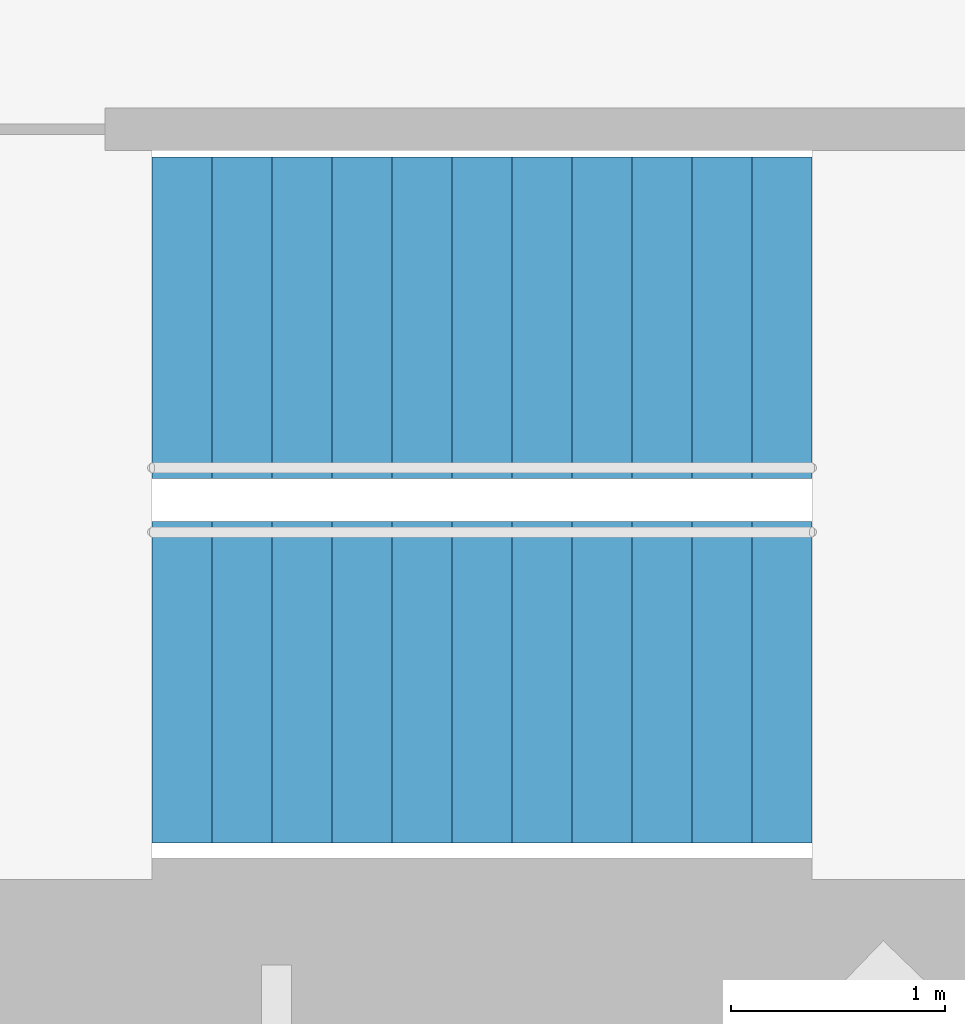
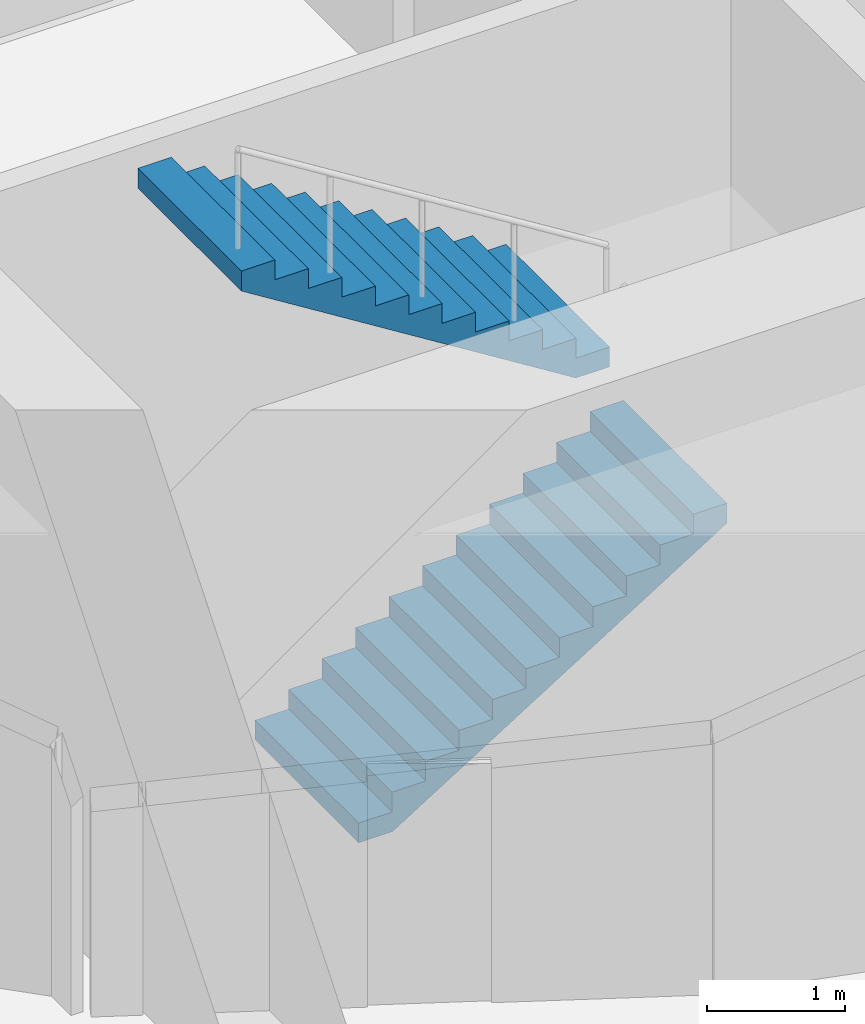
# One storey, part 17 of 19: 2 stair flights, 1 element without a shape of its own.
"""IFC4 building model written with IfcOpenShell, lengths in metres."""

from ifc_helpers import new_model, si_unit, direction, frame, origin, place, context, subcontext, project, spatial, triangles, material, type_object, element, aggregate, save


model = new_model("IFC4")

# Units and contexts
model_context = context("Model", 3, precision=1e-05, world=origin(), true_north=direction((0.0, 1.0)))
body_context = subcontext(model_context, "Body", "Model", "MODEL_VIEW")
ifc_project = project(units=[si_unit("LENGTHUNIT", "METRE"), si_unit("AREAUNIT", "SQUARE_METRE"), si_unit("VOLUMEUNIT", "CUBIC_METRE"), si_unit("PLANEANGLEUNIT", "RADIAN"), si_unit("MASSUNIT", "GRAM", prefix="KILO")], contexts=[model_context])

# Site, building, storey
site_placement = place(None, origin())
site = spatial("IfcSite", under=ifc_project, at=site_placement, CompositionType="ELEMENT")
building_placement = place(site_placement, origin())
building = spatial("IfcBuilding", under=site, at=building_placement, Name="Lantaw Convention Tower", CompositionType="ELEMENT")
storey_placement = place(building_placement, frame((0.0, 0.0, 253.60009765625)))
storey = spatial("IfcBuildingStorey", under=building, at=storey_placement, Name="L59", CompositionType="ELEMENT", Elevation=253.60009765625)

# Stair, stair flights
ifc_material = material(Name="Concrete C35/45", Category="concrete")
stair_type = type_object("IfcStairType", Name="Exit stair 1500 riser 175 in 2 flights", PredefinedType="HALF_TURN_STAIR", material=ifc_material)
stair_placement = place(storey_placement, origin())
stair = element("IfcStair", 1, at=stair_placement, inside=storey, type_object=stair_type, Name="Exit stair S1 L59", PredefinedType="HALF_TURN_STAIR")
stair_flight_type = type_object("IfcStairFlightType", Name="Stair flight 1500 riser 175", PredefinedType="STRAIGHT", material=ifc_material)
stair_flight_1_placement = place(storey_placement, frame((-10.580078125, -5.97998046875, 0.0), z_axis=(0.0, 0.0, 1.0), x_axis=(1.0, 0.0, 0.0)))
stair_flight_1 = element("IfcStairFlight", 2, at=stair_flight_1_placement, type_object=stair_flight_type, Name="S1 flight 1", NumberOfRisers=12, NumberOfTreads=11, PredefinedType="STRAIGHT", RiserHeight=0.175, TreadLength=0.28, context=body_context, shape_type="Tessellation", body=[
    triangles([(0.0, 0.75, 0.0), (0.0, 0.75, 0.175), (0.28, 0.75, 0.0), (0.28, 0.75, 0.175), (0.28, 0.75, 0.35), (0.28283517651771284, 0.75, 0.0), (0.28283517651771284, 0.75, 0.35), (0.56, 0.75, 0.17322801467642948), (0.56, 0.75, 0.35), (0.56, 0.75, 0.5249999999999999), (0.8400000000000001, 0.75, 0.34822801467642944), (0.8400000000000001, 0.75, 0.5249999999999999), (0.8400000000000001, 0.75, 0.7), (1.12, 0.75, 0.5232280146764294), (1.12, 0.75, 0.7), (1.12, 0.75, 0.875), (1.4000000000000001, 0.75, 0.6982280146764295), (1.4000000000000001, 0.75, 0.875), (1.4000000000000001, 0.75, 1.0499999999999998), (1.6800000000000002, 0.75, 0.8732280146764294), (1.6800000000000002, 0.75, 1.0499999999999998), (1.6800000000000002, 0.75, 1.2249999999999999), (1.9600000000000002, 0.75, 1.0482280146764293), (1.9600000000000002, 0.75, 1.2249999999999999), (1.9600000000000002, 0.75, 1.4), (2.24, 0.75, 1.2232280146764294), (2.24, 0.75, 1.4), (2.24, 0.75, 1.575), (2.5200000000000005, 0.75, 1.3982280146764294), (2.5200000000000005, 0.75, 1.575), (2.5200000000000005, 0.75, 1.75), (2.8000000000000003, 0.75, 1.5732280146764293), (2.8000000000000003, 0.75, 1.75), (2.8000000000000003, 0.75, 1.9249999999999998), (3.08, 0.75, 1.7482280146764293), (3.08, 0.75, 1.9249999999999998), (0.0, -0.75, 0.0), (0.0, -0.75, 0.175), (0.28, -0.75, 0.0), (0.28, -0.75, 0.175), (0.28, -0.75, 0.35), (0.28283517651771284, -0.75, 0.0), (0.28283517651771284, -0.75, 0.35), (0.56, -0.75, 0.17322801467642948), (0.56, -0.75, 0.35), (0.56, -0.75, 0.5249999999999999), (0.8400000000000001, -0.75, 0.34822801467642944), (0.8400000000000001, -0.75, 0.5249999999999999), (0.8400000000000001, -0.75, 0.7), (1.12, -0.75, 0.5232280146764294), (1.12, -0.75, 0.7), (1.12, -0.75, 0.875), (1.4000000000000001, -0.75, 0.6982280146764295), (1.4000000000000001, -0.75, 0.875), (1.4000000000000001, -0.75, 1.0499999999999998), (1.6800000000000002, -0.75, 0.8732280146764294), (1.6800000000000002, -0.75, 1.0499999999999998), (1.6800000000000002, -0.75, 1.2249999999999999), (1.9600000000000002, -0.75, 1.0482280146764293), (1.9600000000000002, -0.75, 1.2249999999999999), (1.9600000000000002, -0.75, 1.4), (2.24, -0.75, 1.2232280146764294), (2.24, -0.75, 1.4), (2.24, -0.75, 1.575), (2.5200000000000005, -0.75, 1.3982280146764294), (2.5200000000000005, -0.75, 1.575), (2.5200000000000005, -0.75, 1.75), (2.8000000000000003, -0.75, 1.5732280146764293), (2.8000000000000003, -0.75, 1.75), (2.8000000000000003, -0.75, 1.9249999999999998), (3.08, -0.75, 1.7482280146764293), (3.08, -0.75, 1.9249999999999998), (0.0, 0.15000000000000002, 0.175), (0.0, 0.15000000000000002, 0.0), (0.0, 0.0, 0.175), (0.0, 0.0, 0.0), (0.0, -0.15000000000000002, 0.175), (0.0, -0.15000000000000002, 0.0), (0.28, 0.15000000000000002, 0.35), (0.28, 0.15000000000000002, 0.175), (0.28, 0.0, 0.35), (0.28, 0.0, 0.175), (0.28, -0.15000000000000002, 0.35), (0.28, -0.15000000000000002, 0.175), (0.56, 0.15000000000000002, 0.5249999999999999), (0.56, 0.15000000000000002, 0.35), (0.56, 0.0, 0.5249999999999999), (0.56, 0.0, 0.35), (0.56, -0.15000000000000002, 0.5249999999999999), (0.56, -0.15000000000000002, 0.35), (0.8400000000000001, 0.15000000000000002, 0.7), (0.8400000000000001, 0.15000000000000002, 0.5249999999999999), (0.8400000000000001, 0.0, 0.7), (0.8400000000000001, 0.0, 0.5249999999999999), (0.8400000000000001, -0.15000000000000002, 0.7), (0.8400000000000001, -0.15000000000000002, 0.5249999999999999), (1.12, 0.15000000000000002, 0.875), (1.12, 0.15000000000000002, 0.7), (1.12, 0.0, 0.875), (1.12, 0.0, 0.7), (1.12, -0.15000000000000002, 0.875), (1.12, -0.15000000000000002, 0.7), (1.4000000000000001, 0.15000000000000002, 1.0499999999999998), (1.4000000000000001, 0.15000000000000002, 0.875), (1.4000000000000001, 0.0, 1.0499999999999998), (1.4000000000000001, 0.0, 0.875), (1.4000000000000001, -0.15000000000000002, 1.0499999999999998), (1.4000000000000001, -0.15000000000000002, 0.875), (1.6800000000000002, 0.15000000000000002, 1.2249999999999999), (1.6800000000000002, 0.15000000000000002, 1.0499999999999998), (1.6800000000000002, 0.0, 1.2249999999999999), (1.6800000000000002, 0.0, 1.0499999999999998), (1.6800000000000002, -0.15000000000000002, 1.2249999999999999), (1.6800000000000002, -0.15000000000000002, 1.0499999999999998), (1.9600000000000002, 0.15000000000000002, 1.4), (1.9600000000000002, 0.15000000000000002, 1.2249999999999999), (1.9600000000000002, 0.0, 1.4), (1.9600000000000002, 0.0, 1.2249999999999999), (1.9600000000000002, -0.15000000000000002, 1.4), (1.9600000000000002, -0.15000000000000002, 1.2249999999999999), (2.24, 0.15000000000000002, 1.575), (2.24, 0.15000000000000002, 1.4), (2.24, 0.0, 1.575), (2.24, 0.0, 1.4), (2.24, -0.15000000000000002, 1.575), (2.24, -0.15000000000000002, 1.4), (2.5200000000000005, 0.15000000000000002, 1.75), (2.5200000000000005, 0.15000000000000002, 1.575), (2.5200000000000005, 0.0, 1.75), (2.5200000000000005, 0.0, 1.575), (2.5200000000000005, -0.15000000000000002, 1.75), (2.5200000000000005, -0.15000000000000002, 1.575), (2.8000000000000003, 0.15000000000000002, 1.9249999999999998), (2.8000000000000003, 0.15000000000000002, 1.75), (2.8000000000000003, 0.0, 1.9249999999999998), (2.8000000000000003, 0.0, 1.75), (2.8000000000000003, -0.15000000000000002, 1.9249999999999998), (2.8000000000000003, -0.15000000000000002, 1.75), (0.28283517651771284, 0.15000000000000002, 0.35), (0.28283517651771284, 0.0, 0.35), (0.28283517651771284, -0.15000000000000002, 0.35), (3.08, 0.15000000000000002, 1.9249999999999998), (3.08, 0.0, 1.9249999999999998), (3.08, -0.15000000000000002, 1.9249999999999998), (3.08, 0.15000000000000002, 1.7482280146764293), (3.08, 0.0, 1.7482280146764293), (3.08, -0.15000000000000002, 1.7482280146764293), (2.8000000000000003, 0.15000000000000002, 1.5732280146764293), (2.8000000000000003, 0.0, 1.5732280146764293), (2.8000000000000003, -0.15000000000000002, 1.5732280146764293), (2.5200000000000005, 0.15000000000000002, 1.3982280146764294), (2.5200000000000005, 0.0, 1.3982280146764294), (2.5200000000000005, -0.15000000000000002, 1.3982280146764294), (2.24, 0.15000000000000002, 1.2232280146764294), (2.24, 0.0, 1.2232280146764294), (2.24, -0.15000000000000002, 1.2232280146764294), (1.9600000000000002, 0.15000000000000002, 1.0482280146764293), (1.9600000000000002, 0.0, 1.0482280146764293), (1.9600000000000002, -0.15000000000000002, 1.0482280146764293), (1.6800000000000002, 0.15000000000000002, 0.8732280146764294), (1.6800000000000002, 0.0, 0.8732280146764294), (1.6800000000000002, -0.15000000000000002, 0.8732280146764294), (1.4000000000000001, 0.15000000000000002, 0.6982280146764295), (1.4000000000000001, 0.0, 0.6982280146764295), (1.4000000000000001, -0.15000000000000002, 0.6982280146764295), (1.12, 0.15000000000000002, 0.5232280146764294), (1.12, 0.0, 0.5232280146764294), (1.12, -0.15000000000000002, 0.5232280146764294), (0.8400000000000001, 0.15000000000000002, 0.34822801467642944), (0.8400000000000001, 0.0, 0.34822801467642944), (0.8400000000000001, -0.15000000000000002, 0.34822801467642944), (0.56, 0.15000000000000002, 0.17322801467642948), (0.56, 0.0, 0.17322801467642948), (0.56, -0.15000000000000002, 0.17322801467642948), (0.28283517651771284, 0.15000000000000002, 0.0), (0.28283517651771284, 0.0, 0.0), (0.28283517651771284, -0.15000000000000002, 0.0), (0.28, 0.15000000000000002, 0.0), (0.28, 0.0, 0.0), (0.28, -0.15000000000000002, 0.0)], [[1, 4, 3], [1, 2, 4], [3, 4, 6], [4, 7, 6], [4, 5, 7], [6, 9, 8], [6, 7, 9], [8, 9, 11], [9, 12, 11], [9, 10, 12], [11, 12, 14], [12, 15, 14], [12, 13, 15], [14, 15, 17], [15, 18, 17], [15, 16, 18], [17, 18, 20], [18, 21, 20], [18, 19, 21], [20, 21, 23], [21, 24, 23], [21, 22, 24], [23, 24, 26], [24, 27, 26], [24, 25, 27], [26, 27, 29], [27, 30, 29], [27, 28, 30], [29, 30, 32], [30, 33, 32], [30, 31, 33], [32, 33, 35], [33, 36, 35], [33, 34, 36], [37, 39, 40], [37, 40, 38], [39, 42, 40], [40, 42, 43], [40, 43, 41], [42, 44, 45], [42, 45, 43], [44, 47, 45], [45, 47, 48], [45, 48, 46], [47, 50, 48], [48, 50, 51], [48, 51, 49], [50, 53, 51], [51, 53, 54], [51, 54, 52], [53, 56, 54], [54, 56, 57], [54, 57, 55], [56, 59, 57], [57, 59, 60], [57, 60, 58], [59, 62, 60], [60, 62, 63], [60, 63, 61], [62, 65, 63], [63, 65, 66], [63, 66, 64], [65, 68, 66], [66, 68, 69], [66, 69, 67], [68, 71, 69], [69, 71, 72], [69, 72, 70], [1, 73, 2], [1, 74, 73], [74, 75, 73], [74, 76, 75], [76, 77, 75], [76, 78, 77], [78, 38, 77], [78, 37, 38], [4, 79, 5], [4, 80, 79], [80, 81, 79], [80, 82, 81], [82, 83, 81], [82, 84, 83], [84, 41, 83], [84, 40, 41], [9, 85, 10], [9, 86, 85], [86, 87, 85], [86, 88, 87], [88, 89, 87], [88, 90, 89], [90, 46, 89], [90, 45, 46], [12, 91, 13], [12, 92, 91], [92, 93, 91], [92, 94, 93], [94, 95, 93], [94, 96, 95], [96, 49, 95], [96, 48, 49], [15, 97, 16], [15, 98, 97], [98, 99, 97], [98, 100, 99], [100, 101, 99], [100, 102, 101], [102, 52, 101], [102, 51, 52], [18, 103, 19], [18, 104, 103], [104, 105, 103], [104, 106, 105], [106, 107, 105], [106, 108, 107], [108, 55, 107], [108, 54, 55], [21, 109, 22], [21, 110, 109], [110, 111, 109], [110, 112, 111], [112, 113, 111], [112, 114, 113], [114, 58, 113], [114, 57, 58], [24, 115, 25], [24, 116, 115], [116, 117, 115], [116, 118, 117], [118, 119, 117], [118, 120, 119], [120, 61, 119], [120, 60, 61], [27, 121, 28], [27, 122, 121], [122, 123, 121], [122, 124, 123], [124, 125, 123], [124, 126, 125], [126, 64, 125], [126, 63, 64], [30, 127, 31], [30, 128, 127], [128, 129, 127], [128, 130, 129], [130, 131, 129], [130, 132, 131], [132, 67, 131], [132, 66, 67], [33, 133, 34], [33, 134, 133], [134, 135, 133], [134, 136, 135], [136, 137, 135], [136, 138, 137], [138, 70, 137], [138, 69, 70], [2, 80, 4], [2, 73, 80], [73, 82, 80], [73, 75, 82], [75, 84, 82], [75, 77, 84], [77, 40, 84], [77, 38, 40], [5, 139, 7], [5, 79, 139], [79, 140, 139], [79, 81, 140], [81, 141, 140], [81, 83, 141], [83, 43, 141], [83, 41, 43], [7, 86, 9], [7, 139, 86], [139, 88, 86], [139, 140, 88], [140, 90, 88], [140, 141, 90], [141, 45, 90], [141, 43, 45], [10, 92, 12], [10, 85, 92], [85, 94, 92], [85, 87, 94], [87, 96, 94], [87, 89, 96], [89, 48, 96], [89, 46, 48], [13, 98, 15], [13, 91, 98], [91, 100, 98], [91, 93, 100], [93, 102, 100], [93, 95, 102], [95, 51, 102], [95, 49, 51], [16, 104, 18], [16, 97, 104], [97, 106, 104], [97, 99, 106], [99, 108, 106], [99, 101, 108], [101, 54, 108], [101, 52, 54], [19, 110, 21], [19, 103, 110], [103, 112, 110], [103, 105, 112], [105, 114, 112], [105, 107, 114], [107, 57, 114], [107, 55, 57], [22, 116, 24], [22, 109, 116], [109, 118, 116], [109, 111, 118], [111, 120, 118], [111, 113, 120], [113, 60, 120], [113, 58, 60], [25, 122, 27], [25, 115, 122], [115, 124, 122], [115, 117, 124], [117, 126, 124], [117, 119, 126], [119, 63, 126], [119, 61, 63], [28, 128, 30], [28, 121, 128], [121, 130, 128], [121, 123, 130], [123, 132, 130], [123, 125, 132], [125, 66, 132], [125, 64, 66], [31, 134, 33], [31, 127, 134], [127, 136, 134], [127, 129, 136], [129, 138, 136], [129, 131, 138], [131, 69, 138], [131, 67, 69], [34, 142, 36], [34, 133, 142], [133, 143, 142], [133, 135, 143], [135, 144, 143], [135, 137, 144], [137, 72, 144], [137, 70, 72], [36, 145, 35], [36, 142, 145], [142, 146, 145], [142, 143, 146], [143, 147, 146], [143, 144, 147], [144, 71, 147], [144, 72, 71], [35, 148, 32], [35, 145, 148], [145, 149, 148], [145, 146, 149], [146, 150, 149], [146, 147, 150], [147, 68, 150], [147, 71, 68], [32, 151, 29], [32, 148, 151], [148, 152, 151], [148, 149, 152], [149, 153, 152], [149, 150, 153], [150, 65, 153], [150, 68, 65], [29, 154, 26], [29, 151, 154], [151, 155, 154], [151, 152, 155], [152, 156, 155], [152, 153, 156], [153, 62, 156], [153, 65, 62], [26, 157, 23], [26, 154, 157], [154, 158, 157], [154, 155, 158], [155, 159, 158], [155, 156, 159], [156, 59, 159], [156, 62, 59], [23, 160, 20], [23, 157, 160], [157, 161, 160], [157, 158, 161], [158, 162, 161], [158, 159, 162], [159, 56, 162], [159, 59, 56], [20, 163, 17], [20, 160, 163], [160, 164, 163], [160, 161, 164], [161, 165, 164], [161, 162, 165], [162, 53, 165], [162, 56, 53], [17, 166, 14], [17, 163, 166], [163, 167, 166], [163, 164, 167], [164, 168, 167], [164, 165, 168], [165, 50, 168], [165, 53, 50], [14, 169, 11], [14, 166, 169], [166, 170, 169], [166, 167, 170], [167, 171, 170], [167, 168, 171], [168, 47, 171], [168, 50, 47], [11, 172, 8], [11, 169, 172], [169, 173, 172], [169, 170, 173], [170, 174, 173], [170, 171, 174], [171, 44, 174], [171, 47, 44], [8, 175, 6], [8, 172, 175], [172, 176, 175], [172, 173, 176], [173, 177, 176], [173, 174, 177], [174, 42, 177], [174, 44, 42], [6, 178, 3], [6, 175, 178], [175, 179, 178], [175, 176, 179], [176, 180, 179], [176, 177, 180], [177, 39, 180], [177, 42, 39], [3, 74, 1], [3, 178, 74], [178, 76, 74], [178, 179, 76], [179, 78, 76], [179, 180, 78], [180, 37, 78], [180, 39, 37]], closed=True),
])
stair_flight_2_placement = place(storey_placement, frame((-7.5, -4.280029296875, 2.099853515625), z_axis=(0.0, 0.0, 1.0), x_axis=(-1.0, 0.0, 0.0)))
stair_flight_2 = element("IfcStairFlight", 3, at=stair_flight_2_placement, type_object=stair_flight_type, Name="S1 flight 2", NumberOfRisers=12, NumberOfTreads=11, PredefinedType="STRAIGHT", RiserHeight=0.175, TreadLength=0.28, context=body_context, shape_type="Tessellation", body=[
    triangles([(0.0, 0.75, 0.0), (0.0, 0.75, 0.175), (0.28, 0.75, 0.0), (0.28, 0.75, 0.175), (0.28, 0.75, 0.35), (0.28283517651771284, 0.75, 0.0), (0.28283517651771284, 0.75, 0.35), (0.56, 0.75, 0.17322801467642948), (0.56, 0.75, 0.35), (0.56, 0.75, 0.5249999999999999), (0.8400000000000001, 0.75, 0.34822801467642944), (0.8400000000000001, 0.75, 0.5249999999999999), (0.8400000000000001, 0.75, 0.7), (1.12, 0.75, 0.5232280146764294), (1.12, 0.75, 0.7), (1.12, 0.75, 0.875), (1.4000000000000001, 0.75, 0.6982280146764295), (1.4000000000000001, 0.75, 0.875), (1.4000000000000001, 0.75, 1.0499999999999998), (1.6800000000000002, 0.75, 0.8732280146764294), (1.6800000000000002, 0.75, 1.0499999999999998), (1.6800000000000002, 0.75, 1.2249999999999999), (1.9600000000000002, 0.75, 1.0482280146764293), (1.9600000000000002, 0.75, 1.2249999999999999), (1.9600000000000002, 0.75, 1.4), (2.24, 0.75, 1.2232280146764294), (2.24, 0.75, 1.4), (2.24, 0.75, 1.575), (2.5200000000000005, 0.75, 1.3982280146764294), (2.5200000000000005, 0.75, 1.575), (2.5200000000000005, 0.75, 1.75), (2.8000000000000003, 0.75, 1.5732280146764293), (2.8000000000000003, 0.75, 1.75), (2.8000000000000003, 0.75, 1.9249999999999998), (3.08, 0.75, 1.7482280146764293), (3.08, 0.75, 1.9249999999999998), (0.0, -0.75, 0.0), (0.0, -0.75, 0.175), (0.28, -0.75, 0.0), (0.28, -0.75, 0.175), (0.28, -0.75, 0.35), (0.28283517651771284, -0.75, 0.0), (0.28283517651771284, -0.75, 0.35), (0.56, -0.75, 0.17322801467642948), (0.56, -0.75, 0.35), (0.56, -0.75, 0.5249999999999999), (0.8400000000000001, -0.75, 0.34822801467642944), (0.8400000000000001, -0.75, 0.5249999999999999), (0.8400000000000001, -0.75, 0.7), (1.12, -0.75, 0.5232280146764294), (1.12, -0.75, 0.7), (1.12, -0.75, 0.875), (1.4000000000000001, -0.75, 0.6982280146764295), (1.4000000000000001, -0.75, 0.875), (1.4000000000000001, -0.75, 1.0499999999999998), (1.6800000000000002, -0.75, 0.8732280146764294), (1.6800000000000002, -0.75, 1.0499999999999998), (1.6800000000000002, -0.75, 1.2249999999999999), (1.9600000000000002, -0.75, 1.0482280146764293), (1.9600000000000002, -0.75, 1.2249999999999999), (1.9600000000000002, -0.75, 1.4), (2.24, -0.75, 1.2232280146764294), (2.24, -0.75, 1.4), (2.24, -0.75, 1.575), (2.5200000000000005, -0.75, 1.3982280146764294), (2.5200000000000005, -0.75, 1.575), (2.5200000000000005, -0.75, 1.75), (2.8000000000000003, -0.75, 1.5732280146764293), (2.8000000000000003, -0.75, 1.75), (2.8000000000000003, -0.75, 1.9249999999999998), (3.08, -0.75, 1.7482280146764293), (3.08, -0.75, 1.9249999999999998), (0.0, 0.15000000000000002, 0.175), (0.0, 0.15000000000000002, 0.0), (0.0, 0.0, 0.175), (0.0, 0.0, 0.0), (0.0, -0.15000000000000002, 0.175), (0.0, -0.15000000000000002, 0.0), (0.28, 0.15000000000000002, 0.35), (0.28, 0.15000000000000002, 0.175), (0.28, 0.0, 0.35), (0.28, 0.0, 0.175), (0.28, -0.15000000000000002, 0.35), (0.28, -0.15000000000000002, 0.175), (0.56, 0.15000000000000002, 0.5249999999999999), (0.56, 0.15000000000000002, 0.35), (0.56, 0.0, 0.5249999999999999), (0.56, 0.0, 0.35), (0.56, -0.15000000000000002, 0.5249999999999999), (0.56, -0.15000000000000002, 0.35), (0.8400000000000001, 0.15000000000000002, 0.7), (0.8400000000000001, 0.15000000000000002, 0.5249999999999999), (0.8400000000000001, 0.0, 0.7), (0.8400000000000001, 0.0, 0.5249999999999999), (0.8400000000000001, -0.15000000000000002, 0.7), (0.8400000000000001, -0.15000000000000002, 0.5249999999999999), (1.12, 0.15000000000000002, 0.875), (1.12, 0.15000000000000002, 0.7), (1.12, 0.0, 0.875), (1.12, 0.0, 0.7), (1.12, -0.15000000000000002, 0.875), (1.12, -0.15000000000000002, 0.7), (1.4000000000000001, 0.15000000000000002, 1.0499999999999998), (1.4000000000000001, 0.15000000000000002, 0.875), (1.4000000000000001, 0.0, 1.0499999999999998), (1.4000000000000001, 0.0, 0.875), (1.4000000000000001, -0.15000000000000002, 1.0499999999999998), (1.4000000000000001, -0.15000000000000002, 0.875), (1.6800000000000002, 0.15000000000000002, 1.2249999999999999), (1.6800000000000002, 0.15000000000000002, 1.0499999999999998), (1.6800000000000002, 0.0, 1.2249999999999999), (1.6800000000000002, 0.0, 1.0499999999999998), (1.6800000000000002, -0.15000000000000002, 1.2249999999999999), (1.6800000000000002, -0.15000000000000002, 1.0499999999999998), (1.9600000000000002, 0.15000000000000002, 1.4), (1.9600000000000002, 0.15000000000000002, 1.2249999999999999), (1.9600000000000002, 0.0, 1.4), (1.9600000000000002, 0.0, 1.2249999999999999), (1.9600000000000002, -0.15000000000000002, 1.4), (1.9600000000000002, -0.15000000000000002, 1.2249999999999999), (2.24, 0.15000000000000002, 1.575), (2.24, 0.15000000000000002, 1.4), (2.24, 0.0, 1.575), (2.24, 0.0, 1.4), (2.24, -0.15000000000000002, 1.575), (2.24, -0.15000000000000002, 1.4), (2.5200000000000005, 0.15000000000000002, 1.75), (2.5200000000000005, 0.15000000000000002, 1.575), (2.5200000000000005, 0.0, 1.75), (2.5200000000000005, 0.0, 1.575), (2.5200000000000005, -0.15000000000000002, 1.75), (2.5200000000000005, -0.15000000000000002, 1.575), (2.8000000000000003, 0.15000000000000002, 1.9249999999999998), (2.8000000000000003, 0.15000000000000002, 1.75), (2.8000000000000003, 0.0, 1.9249999999999998), (2.8000000000000003, 0.0, 1.75), (2.8000000000000003, -0.15000000000000002, 1.9249999999999998), (2.8000000000000003, -0.15000000000000002, 1.75), (0.28283517651771284, 0.15000000000000002, 0.35), (0.28283517651771284, 0.0, 0.35), (0.28283517651771284, -0.15000000000000002, 0.35), (3.08, 0.15000000000000002, 1.9249999999999998), (3.08, 0.0, 1.9249999999999998), (3.08, -0.15000000000000002, 1.9249999999999998), (3.08, 0.15000000000000002, 1.7482280146764293), (3.08, 0.0, 1.7482280146764293), (3.08, -0.15000000000000002, 1.7482280146764293), (2.8000000000000003, 0.15000000000000002, 1.5732280146764293), (2.8000000000000003, 0.0, 1.5732280146764293), (2.8000000000000003, -0.15000000000000002, 1.5732280146764293), (2.5200000000000005, 0.15000000000000002, 1.3982280146764294), (2.5200000000000005, 0.0, 1.3982280146764294), (2.5200000000000005, -0.15000000000000002, 1.3982280146764294), (2.24, 0.15000000000000002, 1.2232280146764294), (2.24, 0.0, 1.2232280146764294), (2.24, -0.15000000000000002, 1.2232280146764294), (1.9600000000000002, 0.15000000000000002, 1.0482280146764293), (1.9600000000000002, 0.0, 1.0482280146764293), (1.9600000000000002, -0.15000000000000002, 1.0482280146764293), (1.6800000000000002, 0.15000000000000002, 0.8732280146764294), (1.6800000000000002, 0.0, 0.8732280146764294), (1.6800000000000002, -0.15000000000000002, 0.8732280146764294), (1.4000000000000001, 0.15000000000000002, 0.6982280146764295), (1.4000000000000001, 0.0, 0.6982280146764295), (1.4000000000000001, -0.15000000000000002, 0.6982280146764295), (1.12, 0.15000000000000002, 0.5232280146764294), (1.12, 0.0, 0.5232280146764294), (1.12, -0.15000000000000002, 0.5232280146764294), (0.8400000000000001, 0.15000000000000002, 0.34822801467642944), (0.8400000000000001, 0.0, 0.34822801467642944), (0.8400000000000001, -0.15000000000000002, 0.34822801467642944), (0.56, 0.15000000000000002, 0.17322801467642948), (0.56, 0.0, 0.17322801467642948), (0.56, -0.15000000000000002, 0.17322801467642948), (0.28283517651771284, 0.15000000000000002, 0.0), (0.28283517651771284, 0.0, 0.0), (0.28283517651771284, -0.15000000000000002, 0.0), (0.28, 0.15000000000000002, 0.0), (0.28, 0.0, 0.0), (0.28, -0.15000000000000002, 0.0)], [[1, 4, 3], [1, 2, 4], [3, 4, 6], [4, 7, 6], [4, 5, 7], [6, 9, 8], [6, 7, 9], [8, 9, 11], [9, 12, 11], [9, 10, 12], [11, 12, 14], [12, 15, 14], [12, 13, 15], [14, 15, 17], [15, 18, 17], [15, 16, 18], [17, 18, 20], [18, 21, 20], [18, 19, 21], [20, 21, 23], [21, 24, 23], [21, 22, 24], [23, 24, 26], [24, 27, 26], [24, 25, 27], [26, 27, 29], [27, 30, 29], [27, 28, 30], [29, 30, 32], [30, 33, 32], [30, 31, 33], [32, 33, 35], [33, 36, 35], [33, 34, 36], [37, 39, 40], [37, 40, 38], [39, 42, 40], [40, 42, 43], [40, 43, 41], [42, 44, 45], [42, 45, 43], [44, 47, 45], [45, 47, 48], [45, 48, 46], [47, 50, 48], [48, 50, 51], [48, 51, 49], [50, 53, 51], [51, 53, 54], [51, 54, 52], [53, 56, 54], [54, 56, 57], [54, 57, 55], [56, 59, 57], [57, 59, 60], [57, 60, 58], [59, 62, 60], [60, 62, 63], [60, 63, 61], [62, 65, 63], [63, 65, 66], [63, 66, 64], [65, 68, 66], [66, 68, 69], [66, 69, 67], [68, 71, 69], [69, 71, 72], [69, 72, 70], [1, 73, 2], [1, 74, 73], [74, 75, 73], [74, 76, 75], [76, 77, 75], [76, 78, 77], [78, 38, 77], [78, 37, 38], [4, 79, 5], [4, 80, 79], [80, 81, 79], [80, 82, 81], [82, 83, 81], [82, 84, 83], [84, 41, 83], [84, 40, 41], [9, 85, 10], [9, 86, 85], [86, 87, 85], [86, 88, 87], [88, 89, 87], [88, 90, 89], [90, 46, 89], [90, 45, 46], [12, 91, 13], [12, 92, 91], [92, 93, 91], [92, 94, 93], [94, 95, 93], [94, 96, 95], [96, 49, 95], [96, 48, 49], [15, 97, 16], [15, 98, 97], [98, 99, 97], [98, 100, 99], [100, 101, 99], [100, 102, 101], [102, 52, 101], [102, 51, 52], [18, 103, 19], [18, 104, 103], [104, 105, 103], [104, 106, 105], [106, 107, 105], [106, 108, 107], [108, 55, 107], [108, 54, 55], [21, 109, 22], [21, 110, 109], [110, 111, 109], [110, 112, 111], [112, 113, 111], [112, 114, 113], [114, 58, 113], [114, 57, 58], [24, 115, 25], [24, 116, 115], [116, 117, 115], [116, 118, 117], [118, 119, 117], [118, 120, 119], [120, 61, 119], [120, 60, 61], [27, 121, 28], [27, 122, 121], [122, 123, 121], [122, 124, 123], [124, 125, 123], [124, 126, 125], [126, 64, 125], [126, 63, 64], [30, 127, 31], [30, 128, 127], [128, 129, 127], [128, 130, 129], [130, 131, 129], [130, 132, 131], [132, 67, 131], [132, 66, 67], [33, 133, 34], [33, 134, 133], [134, 135, 133], [134, 136, 135], [136, 137, 135], [136, 138, 137], [138, 70, 137], [138, 69, 70], [2, 80, 4], [2, 73, 80], [73, 82, 80], [73, 75, 82], [75, 84, 82], [75, 77, 84], [77, 40, 84], [77, 38, 40], [5, 139, 7], [5, 79, 139], [79, 140, 139], [79, 81, 140], [81, 141, 140], [81, 83, 141], [83, 43, 141], [83, 41, 43], [7, 86, 9], [7, 139, 86], [139, 88, 86], [139, 140, 88], [140, 90, 88], [140, 141, 90], [141, 45, 90], [141, 43, 45], [10, 92, 12], [10, 85, 92], [85, 94, 92], [85, 87, 94], [87, 96, 94], [87, 89, 96], [89, 48, 96], [89, 46, 48], [13, 98, 15], [13, 91, 98], [91, 100, 98], [91, 93, 100], [93, 102, 100], [93, 95, 102], [95, 51, 102], [95, 49, 51], [16, 104, 18], [16, 97, 104], [97, 106, 104], [97, 99, 106], [99, 108, 106], [99, 101, 108], [101, 54, 108], [101, 52, 54], [19, 110, 21], [19, 103, 110], [103, 112, 110], [103, 105, 112], [105, 114, 112], [105, 107, 114], [107, 57, 114], [107, 55, 57], [22, 116, 24], [22, 109, 116], [109, 118, 116], [109, 111, 118], [111, 120, 118], [111, 113, 120], [113, 60, 120], [113, 58, 60], [25, 122, 27], [25, 115, 122], [115, 124, 122], [115, 117, 124], [117, 126, 124], [117, 119, 126], [119, 63, 126], [119, 61, 63], [28, 128, 30], [28, 121, 128], [121, 130, 128], [121, 123, 130], [123, 132, 130], [123, 125, 132], [125, 66, 132], [125, 64, 66], [31, 134, 33], [31, 127, 134], [127, 136, 134], [127, 129, 136], [129, 138, 136], [129, 131, 138], [131, 69, 138], [131, 67, 69], [34, 142, 36], [34, 133, 142], [133, 143, 142], [133, 135, 143], [135, 144, 143], [135, 137, 144], [137, 72, 144], [137, 70, 72], [36, 145, 35], [36, 142, 145], [142, 146, 145], [142, 143, 146], [143, 147, 146], [143, 144, 147], [144, 71, 147], [144, 72, 71], [35, 148, 32], [35, 145, 148], [145, 149, 148], [145, 146, 149], [146, 150, 149], [146, 147, 150], [147, 68, 150], [147, 71, 68], [32, 151, 29], [32, 148, 151], [148, 152, 151], [148, 149, 152], [149, 153, 152], [149, 150, 153], [150, 65, 153], [150, 68, 65], [29, 154, 26], [29, 151, 154], [151, 155, 154], [151, 152, 155], [152, 156, 155], [152, 153, 156], [153, 62, 156], [153, 65, 62], [26, 157, 23], [26, 154, 157], [154, 158, 157], [154, 155, 158], [155, 159, 158], [155, 156, 159], [156, 59, 159], [156, 62, 59], [23, 160, 20], [23, 157, 160], [157, 161, 160], [157, 158, 161], [158, 162, 161], [158, 159, 162], [159, 56, 162], [159, 59, 56], [20, 163, 17], [20, 160, 163], [160, 164, 163], [160, 161, 164], [161, 165, 164], [161, 162, 165], [162, 53, 165], [162, 56, 53], [17, 166, 14], [17, 163, 166], [163, 167, 166], [163, 164, 167], [164, 168, 167], [164, 165, 168], [165, 50, 168], [165, 53, 50], [14, 169, 11], [14, 166, 169], [166, 170, 169], [166, 167, 170], [167, 171, 170], [167, 168, 171], [168, 47, 171], [168, 50, 47], [11, 172, 8], [11, 169, 172], [169, 173, 172], [169, 170, 173], [170, 174, 173], [170, 171, 174], [171, 44, 174], [171, 47, 44], [8, 175, 6], [8, 172, 175], [172, 176, 175], [172, 173, 176], [173, 177, 176], [173, 174, 177], [174, 42, 177], [174, 44, 42], [6, 178, 3], [6, 175, 178], [175, 179, 178], [175, 176, 179], [176, 180, 179], [176, 177, 180], [177, 39, 180], [177, 42, 39], [3, 74, 1], [3, 178, 74], [178, 76, 74], [178, 179, 76], [179, 78, 76], [179, 180, 78], [180, 37, 78], [180, 39, 37]], closed=True),
])
aggregate(stair, [stair_flight_1, stair_flight_2])

save(model, "model.ifc")
